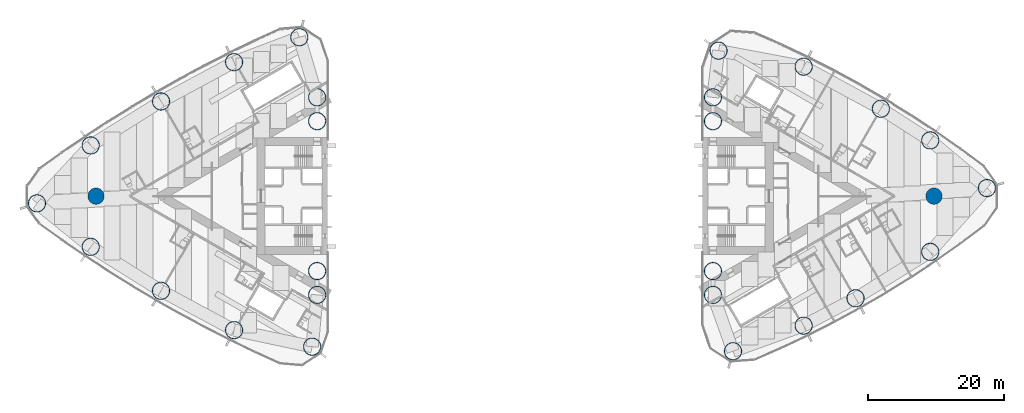
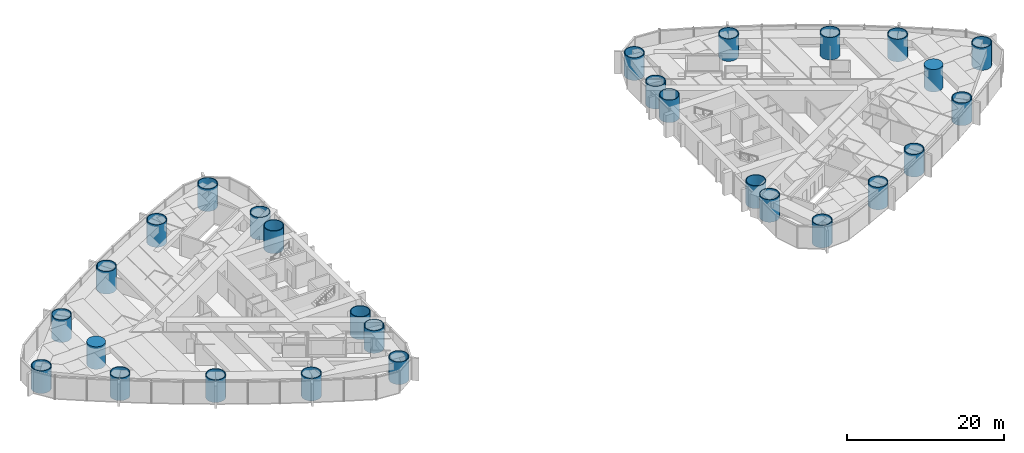
# One storey, part 1 of 18: 28 columns.
"""IFC4 building model written with IfcOpenShell, lengths in metres."""

from ifc_helpers import new_model, si_unit, direction, frame, origin, origin_2d, place, context, subcontext, project, spatial, circle, hollow_circle, extrude, material, material_profile, profile_set, type_object, element, save


model = new_model("IFC4")

# Units and contexts
model_context = context("Model", 3, precision=1e-05, world=origin(), true_north=direction((0.0, 1.0)))
body_context = subcontext(model_context, "Body", "Model", "MODEL_VIEW")
ifc_project = project(units=[si_unit("LENGTHUNIT", "METRE"), si_unit("AREAUNIT", "SQUARE_METRE"), si_unit("VOLUMEUNIT", "CUBIC_METRE"), si_unit("PLANEANGLEUNIT", "RADIAN"), si_unit("MASSUNIT", "GRAM", prefix="KILO")], contexts=[model_context])

# Site, building, storey
site_placement = place(None, origin())
site = spatial("IfcSite", under=ifc_project, at=site_placement, CompositionType="ELEMENT")
building_placement = place(site_placement, origin())
building = spatial("IfcBuilding", under=site, at=building_placement, Name="Lancet Gate Hotel", CompositionType="ELEMENT")
storey_placement = place(building_placement, frame((0.0, 0.0, 97.60009765625)))
storey = spatial("IfcBuildingStorey", under=building, at=storey_placement, Name="L25", CompositionType="ELEMENT", Elevation=97.60009765625)

# Columns
ifc_material_1 = material(Name="Concrete C80/95", Category="concrete")
ifc_material_profile_1 = material_profile(ifc_material_1, circle(Radius=1.199951171875, at=origin_2d()), Name="RC D2400")
ifc_profile_set_1 = profile_set([ifc_material_profile_1], Name="Concrete C80/95")
column_type_1 = type_object("IfcColumnType", Name="Apex column RC D2400", PredefinedType="COLUMN", material=ifc_profile_set_1)
for number, where, z_axis, x_axis, name in (
    (1, (-61.5, 0.0, 0.0), (0.0, 0.0, 1.0), (1.0, 0.0, 0.0), "T1 column AX L25"),
    (2, (61.5, 0.0, 0.0), (0.0, 0.0, 1.0), (1.0, 0.0, 0.0), "T2 column AX L25"),
):
    element("IfcColumn", number, at=place(storey_placement, frame(where, z_axis=z_axis, x_axis=x_axis)), inside=storey, type_object=column_type_1, Name=name, PredefinedType="COLUMN", context=body_context, shape_type="SweptSolid", body=[
        extrude(circle(Radius=1.199951171875, at=origin_2d()), origin(), (0.0, 0.0, 1.0), 3.5),
    ])
ifc_material_2 = material(Name="Composite filled tube, grade 460 plate, grade 80/95 fill", Category="composite")
ifc_material_profile_2 = material_profile(ifc_material_2, hollow_circle(Radius=1.300048828125, WallThickness=0.10009765625, at=origin_2d()), Name="CHS 2600x100")
ifc_profile_set_2 = profile_set([ifc_material_profile_2], Name="Composite filled tube, grade 460 plate, grade 80/95 fill")
column_type_2 = type_object("IfcColumnType", Name="Apex corner column CFT CHS 2600x100", PredefinedType="COLUMN", material=ifc_profile_set_2)
for number, where, z_axis, x_axis, name in (
    (3, (-70.16796875, -1.06005859375, 0.0), (0.0, 0.0, 1.0), (1.0, 0.0, 0.0), "T1 column CA L25"),
    (4, (69.268798828125, 1.1865234375, 0.0), (0.0, 0.0, 1.0), (1.0, 0.0, 0.0), "T2 column CA L25"),
):
    element("IfcColumn", number, at=place(storey_placement, frame(where, z_axis=z_axis, x_axis=x_axis)), inside=storey, type_object=column_type_2, Name=name, PredefinedType="COLUMN", context=body_context, shape_type="SweptSolid", body=[
        extrude(hollow_circle(Radius=1.300048828125, WallThickness=0.10009765625, at=origin_2d()), origin(), (0.0, 0.0, 1.0), 3.5),
    ])
ifc_material_3 = material(Name="Composite filled tube, grade 460 plate, grade 80/95 fill", Category="composite")
ifc_material_profile_3 = material_profile(ifc_material_3, hollow_circle(Radius=1.300048828125, WallThickness=0.10009765625, at=origin_2d()), Name="CHS 2600x100")
ifc_profile_set_3 = profile_set([ifc_material_profile_3], Name="Composite filled tube, grade 460 plate, grade 80/95 fill")
column_type_3 = type_object("IfcColumnType", Name="Perimeter column CFT CHS 2600x100", PredefinedType="COLUMN", material=ifc_profile_set_3)
for number, where, z_axis, x_axis, name in (
    (5, (-29.781005859375, -22.0947265625, 0.0), (0.0, 0.0, 1.0), (1.0, 0.0, 0.0), "T1 column CN L25"),
    (6, (-31.66455078125, 23.318359375, 0.0), (0.0, 0.0, 1.0), (1.0, 0.0, 0.0), "T1 column CS L25"),
    (7, (-29.050048828125, -11.0, 0.0), (0.0, 0.0, 1.0), (1.0, 0.0, 0.0), "T1 column IN L25"),
    (8, (-29.050048828125, 11.0, 0.0), (0.0, 0.0, 1.0), (1.0, 0.0, 0.0), "T1 column IS L25"),
    (9, (-29.050048828125, 14.5, 0.0), (0.0, 0.0, 1.0), (1.0, 0.0, 0.0), "T1 column IT L25"),
    (10, (-29.050048828125, -14.5, 0.0), (0.0, 0.0, 1.0), (1.0, 0.0, 0.0), "T1 column JT L25"),
    (11, (-62.28662109375, -7.444580078125, 0.0), (0.0, 0.0, 1.0), (1.0, 0.0, 0.0), "T1 column ON1 L25"),
    (12, (-51.963134765625, -13.89501953125, 0.0), (0.0, 0.0, 1.0), (1.0, 0.0, 0.0), "T1 column ON2 L25"),
    (13, (-41.244873046875, -19.665771484375, 0.0), (0.0, 0.0, 1.0), (1.0, 0.0, 0.0), "T1 column ON3 L25"),
    (14, (-41.244873046875, 19.665771484375, 0.0), (0.0, 0.0, 1.0), (1.0, 0.0, 0.0), "T1 column OS1 L25"),
    (15, (-51.963134765625, 13.89501953125, 0.0), (0.0, 0.0, 1.0), (1.0, 0.0, 0.0), "T1 column OS2 L25"),
    (16, (-62.28662109375, 7.444580078125, 0.0), (0.0, 0.0, 1.0), (1.0, 0.0, 0.0), "T1 column OS3 L25"),
    (17, (29.8720703125, 21.35498046875, 0.0), (0.0, 0.0, 1.0), (1.0, 0.0, 0.0), "T2 column CN L25"),
    (18, (31.99609375, -22.76318359375, 0.0), (0.0, 0.0, 1.0), (1.0, 0.0, 0.0), "T2 column CS L25"),
    (19, (29.050048828125, 11.0, 0.0), (0.0, 0.0, 1.0), (1.0, 0.0, 0.0), "T2 column IN L25"),
    (20, (29.050048828125, -11.0, 0.0), (0.0, 0.0, 1.0), (1.0, 0.0, 0.0), "T2 column IS L25"),
    (21, (29.050048828125, -14.5, 0.0), (0.0, 0.0, 1.0), (1.0, 0.0, 0.0), "T2 column IT L25"),
    (22, (29.050048828125, 14.5, 0.0), (0.0, 0.0, 1.0), (1.0, 0.0, 0.0), "T2 column JT L25"),
    (23, (60.940673828125, 8.18115234375, 0.0), (0.0, 0.0, 1.0), (1.0, 0.0, 0.0), "T2 column ON1 L25"),
    (24, (53.697021484375, 12.827392578125, 0.0), (0.0, 0.0, 1.0), (1.0, 0.0, 0.0), "T2 column ON2 L25"),
    (25, (42.3662109375, 19.007080078125, 0.0), (0.0, 0.0, 1.0), (1.0, 0.0, 0.0), "T2 column ON3 L25"),
    (26, (42.3662109375, -19.007080078125, 0.0), (0.0, 0.0, 1.0), (1.0, 0.0, 0.0), "T2 column OS1 L25"),
    (27, (49.97900390625, -14.994384765625, 0.0), (0.0, 0.0, 1.0), (1.0, 0.0, 0.0), "T2 column OS2 L25"),
    (28, (60.940673828125, -8.18115234375, 0.0), (0.0, 0.0, 1.0), (1.0, 0.0, 0.0), "T2 column OS3 L25"),
):
    element("IfcColumn", number, at=place(storey_placement, frame(where, z_axis=z_axis, x_axis=x_axis)), inside=storey, type_object=column_type_3, Name=name, PredefinedType="COLUMN", context=body_context, shape_type="SweptSolid", body=[
        extrude(hollow_circle(Radius=1.300048828125, WallThickness=0.10009765625, at=origin_2d()), origin(), (0.0, 0.0, 1.0), 3.5),
    ])

save(model, "model.ifc")
